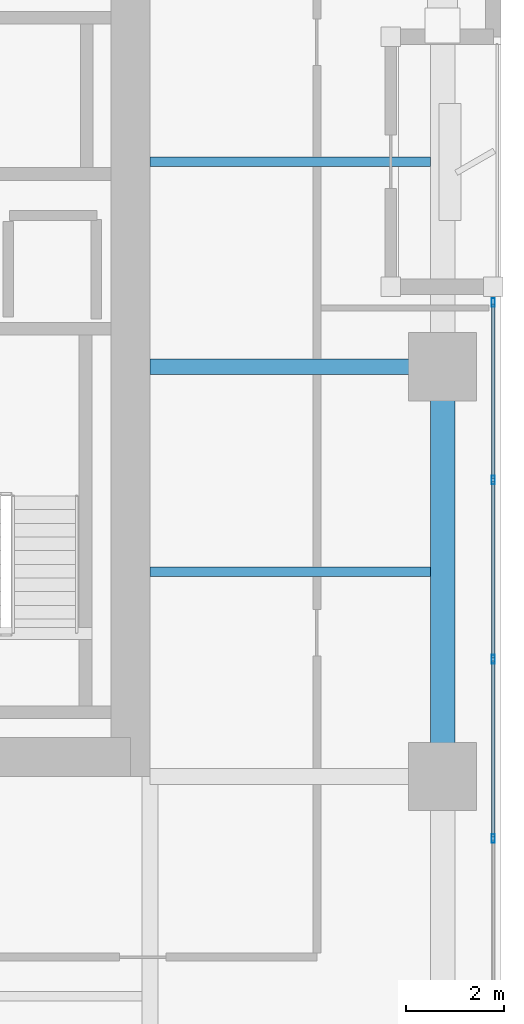
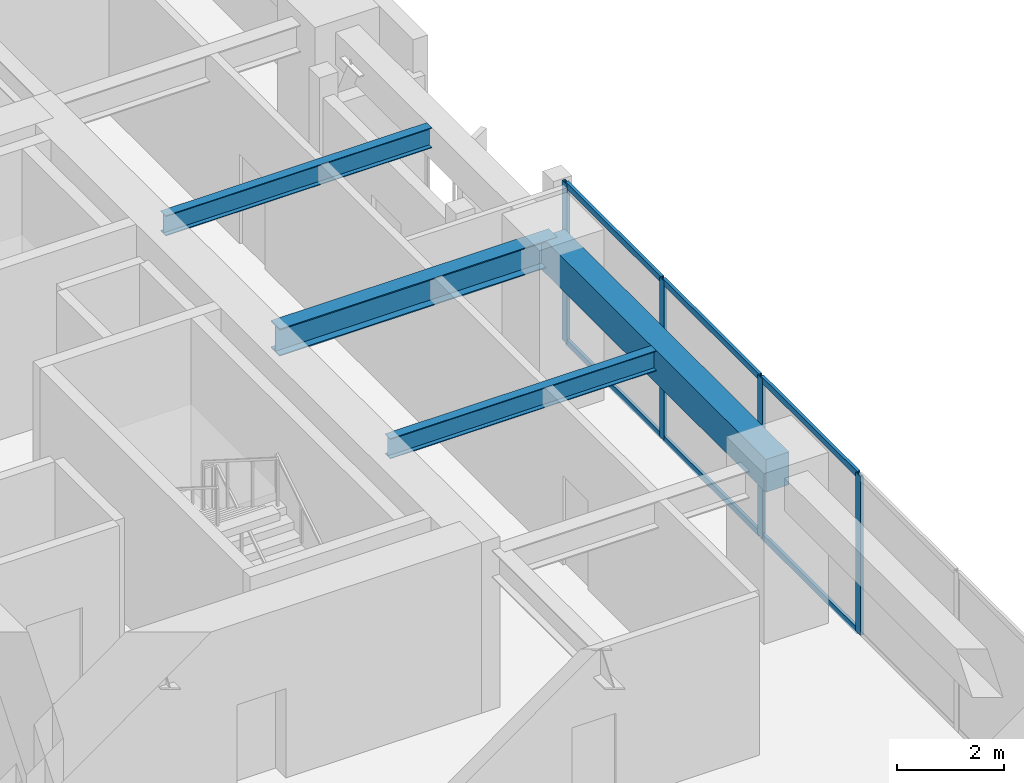
# One storey, part 6 of 24: 10 members, 4 beams, 1 element without a shape of its own.
"""IFC4 building model written with IfcOpenShell, lengths in metres."""

from ifc_helpers import new_model, si_unit, direction, frame, origin, origin_2d, place, context, subcontext, project, spatial, rectangle, hollow_rectangle, i_section, extrude, material, layer, layer_set, material_profile, profile_set, type_object, element, aggregate, save


model = new_model("IFC4")

# Units and contexts
model_context = context("Model", 3, precision=1e-05, world=origin(), true_north=direction((0.0, 1.0)))
body_context = subcontext(model_context, "Body", "Model", "MODEL_VIEW")
ifc_project = project(units=[si_unit("LENGTHUNIT", "METRE"), si_unit("AREAUNIT", "SQUARE_METRE"), si_unit("VOLUMEUNIT", "CUBIC_METRE"), si_unit("PLANEANGLEUNIT", "RADIAN"), si_unit("MASSUNIT", "GRAM", prefix="KILO")], contexts=[model_context])

# Site, building, storey
site_placement = place(None, origin())
site = spatial("IfcSite", under=ifc_project, at=site_placement, CompositionType="ELEMENT")
building_placement = place(site_placement, origin())
building = spatial("IfcBuilding", under=site, at=building_placement, Name="Kiyonajd Concourse Tower", CompositionType="ELEMENT")
storey_placement = place(building_placement, frame((0.0, 0.0, 101.39990234375)))
storey = spatial("IfcBuildingStorey", under=building, at=storey_placement, Name="L26", CompositionType="ELEMENT", Elevation=101.39990234375)

# Beams
ifc_material_1 = material(Name="Steel ASTM A992 Grade 50", Category="steel")
ifc_material_profile_1 = material_profile(ifc_material_1, i_section(OverallWidth=0.19189453125, OverallDepth=0.462890625, WebThickness=0.010498046875, FlangeThickness=0.017578125, at=origin_2d()), Name="W460X89")
ifc_profile_set_1 = profile_set([ifc_material_profile_1], Name="Steel ASTM A992 Grade 50")
beam_type_1 = type_object("IfcBeamType", Name="BM-JST-460B", PredefinedType="JOIST", material=ifc_profile_set_1)
for number, where, z_axis, x_axis, name in (
    (1, (63.60009765625, 31.800048828125, 3.40869140625), (1.0, 0.0, 0.0), (0.0, 1.0, 0.0), "L26 East Secondary Floor Joist"),
    (2, (63.60009765625, 40.199951171875, 3.40869140625), (1.0, 0.0, 0.0), (0.0, 1.0, 0.0), "L26 East Secondary Floor Joist"),
):
    element("IfcBeam", number, at=place(storey_placement, frame(where, z_axis=z_axis, x_axis=x_axis)), inside=storey, type_object=beam_type_1, Name=name, PredefinedType="JOIST", context=body_context, shape_type="SweptSolid", body=[
        extrude(i_section(OverallWidth=0.19189453125, OverallDepth=0.462890625, WebThickness=0.010498046875, FlangeThickness=0.017578125, at=origin_2d()), origin(), (0.0, 0.0, 1.0), 5.75),
    ])
ifc_material_2 = material(Name="Precast concrete C50/60", Category="concrete")
ifc_material_profile_2 = material_profile(ifc_material_2, rectangle(XDim=0.5, YDim=0.75, at=origin_2d()), Name="RCBM-500x750")
ifc_profile_set_2 = profile_set([ifc_material_profile_2], Name="Precast concrete C50/60")
beam_type_2 = type_object("IfcBeamType", Name="BM-SPAN-RC", PredefinedType="SPANDREL", material=ifc_profile_set_2)
beam_1_placement = place(storey_placement, frame((69.60009765625, 27.60009765625, 3.26513671875), z_axis=(0.0, 1.0, 0.0), x_axis=(-1.0, 0.0, 0.0)))
element("IfcBeam", 3, at=beam_1_placement, inside=storey, type_object=beam_type_2, Name="L26 Perimeter Bundled Tube Spandrel", PredefinedType="SPANDREL", context=body_context, shape_type="SweptSolid", body=[
    extrude(rectangle(XDim=0.5, YDim=0.75, at=origin_2d()), origin(), (0.0, 0.0, 1.0), 8.39990234375),
])
ifc_material_profile_3 = material_profile(ifc_material_1, i_section(OverallWidth=0.326904296875, OverallDepth=0.6220703125, WebThickness=0.015380859375, FlangeThickness=0.0244140625, at=origin_2d()), Name="W610X195")
ifc_profile_set_3 = profile_set([ifc_material_profile_3], Name="Steel ASTM A992 Grade 50")
beam_type_3 = type_object("IfcBeamType", Name="BM-TWR-610A", PredefinedType="BEAM", material=ifc_profile_set_3)
beam_2_placement = place(storey_placement, frame((63.60009765625, 36.0, 3.3291015625), z_axis=(1.0, 0.0, 0.0), x_axis=(0.0, 1.0, 0.0)))
element("IfcBeam", 4, at=beam_2_placement, inside=storey, type_object=beam_type_3, Name="L26 East Lease Girder", PredefinedType="BEAM", context=body_context, shape_type="SweptSolid", body=[
    extrude(i_section(OverallWidth=0.326904296875, OverallDepth=0.6220703125, WebThickness=0.015380859375, FlangeThickness=0.0244140625, at=origin_2d()), origin(), (0.0, 0.0, 1.0), 6.0),
])

# Curtain wall, members
ifc_material_3 = material(Name="Thermally Broken Anodised Aluminium", Category="aluminium")
ifc_layer = layer(ifc_material_3, 0.179931640625)
ifc_layer_set = layer_set([ifc_layer], Name="Thermally Broken Anodised Aluminium")
curtain_wall_type = type_object("IfcCurtainWallType", Name="CW-SYS-03", PredefinedType="NOTDEFINED", material=ifc_layer_set)
curtain_wall_placement = place(storey_placement, origin())
curtain_wall = element("IfcCurtainWall", 5, at=curtain_wall_placement, inside=storey, type_object=curtain_wall_type, Name="L26 Unitised Curtain Wall CW3", PredefinedType="NOTDEFINED")
ifc_material_profile_4 = material_profile(ifc_material_3, hollow_rectangle(XDim=0.06494140625, YDim=0.179931640625, WallThickness=0.00390625, at=origin_2d()), Name="MULL-65x180")
ifc_profile_set_4 = profile_set([ifc_material_profile_4], Name="Thermally Broken Anodised Aluminium")
member_type_1 = type_object("IfcMemberType", Name="MB-CW-MULL1", PredefinedType="MULLION", material=ifc_profile_set_4)
member_1_placement = place(storey_placement, frame((70.639892578125, 37.3173828125, 0.0), z_axis=(0.0, 0.0, 1.0), x_axis=(1.0, 0.0, 0.0)))
member_1 = element("IfcMember", 6, at=member_1_placement, type_object=member_type_1, Name="CW3 mullion 1", PredefinedType="MULLION", context=body_context, shape_type="SweptSolid", body=[
    extrude(hollow_rectangle(XDim=0.06494140625, YDim=0.179931640625, WallThickness=0.00390625, at=origin_2d()), origin(), (0.0, 0.0, 1.0), 3.64013671875),
])
member_2_placement = place(storey_placement, frame((70.639892578125, 33.6767578125, 0.0), z_axis=(0.0, 0.0, 1.0), x_axis=(1.0, 0.0, 0.0)))
member_2 = element("IfcMember", 7, at=member_2_placement, type_object=member_type_1, Name="CW3 mullion 2", PredefinedType="MULLION", context=body_context, shape_type="SweptSolid", body=[
    extrude(hollow_rectangle(XDim=0.06494140625, YDim=0.179931640625, WallThickness=0.00390625, at=origin_2d()), origin(), (0.0, 0.0, 1.0), 3.64013671875),
])
member_3_placement = place(storey_placement, frame((70.639892578125, 30.003662109375, 0.0), z_axis=(0.0, 0.0, 1.0), x_axis=(1.0, 0.0, 0.0)))
member_3 = element("IfcMember", 8, at=member_3_placement, type_object=member_type_1, Name="CW3 mullion 3", PredefinedType="MULLION", context=body_context, shape_type="SweptSolid", body=[
    extrude(hollow_rectangle(XDim=0.06494140625, YDim=0.179931640625, WallThickness=0.00390625, at=origin_2d()), origin(), (0.0, 0.0, 1.0), 3.64013671875),
])
member_4_placement = place(storey_placement, frame((70.639892578125, 26.33056640625, 0.0), z_axis=(0.0, 0.0, 1.0), x_axis=(1.0, 0.0, 0.0)))
member_4 = element("IfcMember", 9, at=member_4_placement, type_object=member_type_1, Name="CW3 mullion 4", PredefinedType="MULLION", context=body_context, shape_type="SweptSolid", body=[
    extrude(hollow_rectangle(XDim=0.06494140625, YDim=0.179931640625, WallThickness=0.00390625, at=origin_2d()), origin(), (0.0, 0.0, 1.0), 3.64013671875),
])
ifc_material_profile_5 = material_profile(ifc_material_3, hollow_rectangle(XDim=0.06494140625, YDim=0.139892578125, WallThickness=0.00390625, at=origin_2d()), Name="TRAN-65x140")
ifc_profile_set_5 = profile_set([ifc_material_profile_5], Name="Thermally Broken Anodised Aluminium")
member_type_2 = type_object("IfcMemberType", Name="MB-CW-TRAN1", PredefinedType="USERDEFINED", material=ifc_profile_set_5)
member_5_placement = place(storey_placement, frame((70.639892578125, 37.284912109375, 0.03271484375), z_axis=(0.0, -1.0, 0.0), x_axis=(1.0, 0.0, 0.0)))
member_5 = element("IfcMember", 10, at=member_5_placement, type_object=member_type_2, Name="CW3 transom 1.1", ObjectType="TRANSOM", PredefinedType="USERDEFINED", context=body_context, shape_type="SweptSolid", body=[
    extrude(hollow_rectangle(XDim=0.06494140625, YDim=0.139892578125, WallThickness=0.00390625, at=origin_2d()), origin(), (0.0, 0.0, 1.0), 3.57568359375),
])
member_6_placement = place(storey_placement, frame((70.639892578125, 37.284912109375, 3.607666015625), z_axis=(0.0, -1.0, 0.0), x_axis=(1.0, 0.0, 0.0)))
member_6 = element("IfcMember", 11, at=member_6_placement, type_object=member_type_2, Name="CW3 transom 1.2", ObjectType="TRANSOM", PredefinedType="USERDEFINED", context=body_context, shape_type="SweptSolid", body=[
    extrude(hollow_rectangle(XDim=0.06494140625, YDim=0.139892578125, WallThickness=0.00390625, at=origin_2d()), origin(), (0.0, 0.0, 1.0), 3.57568359375),
])
member_7_placement = place(storey_placement, frame((70.639892578125, 33.644287109375, 0.03271484375), z_axis=(0.0, -1.0, 0.0), x_axis=(1.0, 0.0, 0.0)))
member_7 = element("IfcMember", 12, at=member_7_placement, type_object=member_type_2, Name="CW3 transom 2.1", ObjectType="TRANSOM", PredefinedType="USERDEFINED", context=body_context, shape_type="SweptSolid", body=[
    extrude(hollow_rectangle(XDim=0.06494140625, YDim=0.139892578125, WallThickness=0.00390625, at=origin_2d()), origin(), (0.0, 0.0, 1.0), 3.608154296875),
])
member_8_placement = place(storey_placement, frame((70.639892578125, 33.644287109375, 3.607666015625), z_axis=(0.0, -1.0, 0.0), x_axis=(1.0, 0.0, 0.0)))
member_8 = element("IfcMember", 13, at=member_8_placement, type_object=member_type_2, Name="CW3 transom 2.2", ObjectType="TRANSOM", PredefinedType="USERDEFINED", context=body_context, shape_type="SweptSolid", body=[
    extrude(hollow_rectangle(XDim=0.06494140625, YDim=0.139892578125, WallThickness=0.00390625, at=origin_2d()), origin(), (0.0, 0.0, 1.0), 3.608154296875),
])
member_9_placement = place(storey_placement, frame((70.639892578125, 29.97119140625, 0.03271484375), z_axis=(0.0, -1.0, 0.0), x_axis=(1.0, 0.0, 0.0)))
member_9 = element("IfcMember", 14, at=member_9_placement, type_object=member_type_2, Name="CW3 transom 3.1", ObjectType="TRANSOM", PredefinedType="USERDEFINED", context=body_context, shape_type="SweptSolid", body=[
    extrude(hollow_rectangle(XDim=0.06494140625, YDim=0.139892578125, WallThickness=0.00390625, at=origin_2d()), origin(), (0.0, 0.0, 1.0), 3.608154296875),
])
member_10_placement = place(storey_placement, frame((70.639892578125, 29.97119140625, 3.607666015625), z_axis=(0.0, -1.0, 0.0), x_axis=(1.0, 0.0, 0.0)))
member_10 = element("IfcMember", 15, at=member_10_placement, type_object=member_type_2, Name="CW3 transom 3.2", ObjectType="TRANSOM", PredefinedType="USERDEFINED", context=body_context, shape_type="SweptSolid", body=[
    extrude(hollow_rectangle(XDim=0.06494140625, YDim=0.139892578125, WallThickness=0.00390625, at=origin_2d()), origin(), (0.0, 0.0, 1.0), 3.608154296875),
])
aggregate(curtain_wall, [member_1, member_2, member_3, member_4, member_5, member_6, member_7, member_8, member_9, member_10])

save(model, "model.ifc")
